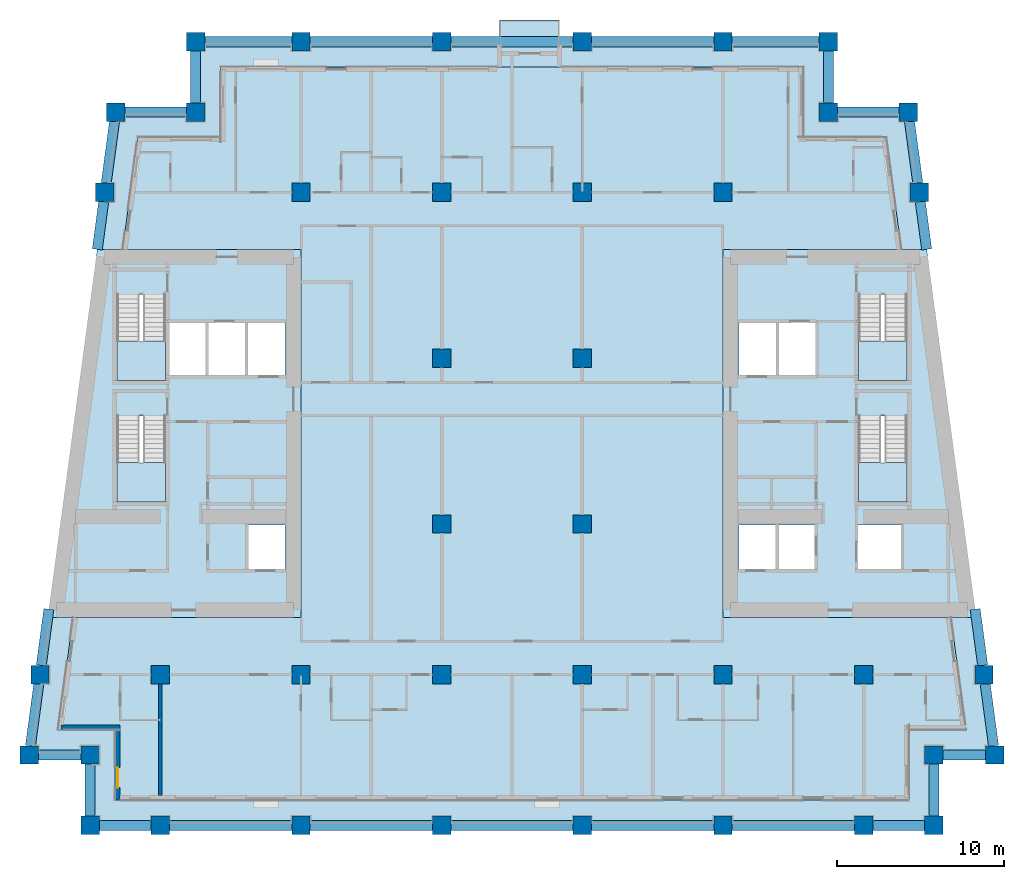
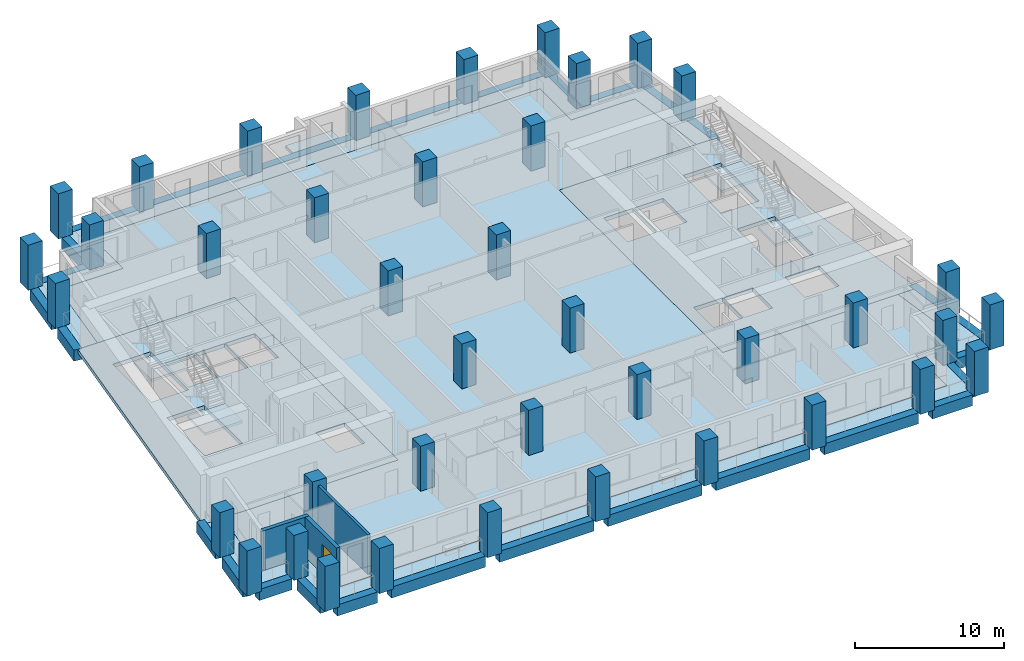
# One storey, part 1 of 13: 40 columns, 28 beams, 10 slabs, 3 walls, 1 door, 1 opening, 4 elements without a shape of their own.
"""IFC4 building model written with IfcOpenShell, lengths in metres."""

from ifc_helpers import new_model, si_unit, direction, frame, frame_2d, origin, origin_2d, place, context, subcontext, project, spatial, polyline, rectangle, outline, extrude, material, layer, layer_set, material_profile, profile_set, type_object, element, fill, aggregate, save


model = new_model("IFC4")

# Units and contexts
model_context = context("Model", 3, precision=1e-05, world=origin(), true_north=direction((0.0, 1.0)))
body_context = subcontext(model_context, "Body", "Model", "MODEL_VIEW")
ifc_project = project(units=[si_unit("LENGTHUNIT", "METRE"), si_unit("AREAUNIT", "SQUARE_METRE"), si_unit("VOLUMEUNIT", "CUBIC_METRE"), si_unit("PLANEANGLEUNIT", "RADIAN"), si_unit("MASSUNIT", "GRAM", prefix="KILO")], contexts=[model_context])

# Site, building, storey
site_placement = place(None, origin())
site = spatial("IfcSite", under=ifc_project, at=site_placement, CompositionType="ELEMENT")
building_placement = place(site_placement, origin())
building = spatial("IfcBuilding", under=site, at=building_placement, Name="Candeia Pilgrim Tower and Theatre", CompositionType="ELEMENT")
storey_placement = place(building_placement, frame((0.0, 0.0, 188.5)))
storey = spatial("IfcBuildingStorey", under=building, at=storey_placement, Name="L45", CompositionType="ELEMENT", Elevation=188.5)

# Columns
ifc_material_1 = material(Name="Concrete C60/75", Category="concrete")
ifc_material_profile_1 = material_profile(ifc_material_1, rectangle(XDim=1.10009765625, YDim=1.10009765625, at=origin_2d()))
ifc_profile_set_1 = profile_set([ifc_material_profile_1], Name="Concrete C60/75")
column_type = type_object("IfcColumnType", Name="RC 1100x1100 C60/75", PredefinedType="COLUMN", material=ifc_profile_set_1)
for number, where, z_axis, x_axis, name in (
    (1, (92.39990234375, 98.0, 0.0), (0.0, 0.0, 1.0), (1.0, 0.0, 0.0), "Column A1"),
    (2, (100.800048828125, 98.0, 0.0), (0.0, 0.0, 1.0), (1.0, 0.0, 0.0), "Column A2"),
    (3, (109.199951171875, 98.0, 0.0), (0.0, 0.0, 1.0), (1.0, 0.0, 0.0), "Column A3"),
    (4, (117.60009765625, 98.0, 0.0), (0.0, 0.0, 1.0), (1.0, 0.0, 0.0), "Column A4"),
    (5, (126.0, 98.0, 0.0), (0.0, 0.0, 1.0), (1.0, 0.0, 0.0), "Column A5"),
    (6, (134.39990234375, 98.0, 0.0), (0.0, 0.0, 1.0), (1.0, 0.0, 0.0), "Column A6"),
    (7, (88.199951171875, 98.0, 0.0), (0.0, 0.0, 1.0), (1.0, 0.0, 0.0), "Column AW"),
    (8, (138.60009765625, 98.0, 0.0), (0.0, 0.0, 1.0), (1.0, 0.0, 0.0), "Column AE"),
    (9, (88.199951171875, 102.199951171875, 0.0), (0.0, 0.0, 1.0), (1.0, 0.0, 0.0), "Column NSW"),
    (10, (138.60009765625, 102.199951171875, 0.0), (0.0, 0.0, 1.0), (1.0, 0.0, 0.0), "Column NSE"),
    (11, (94.5, 140.60009765625, 0.0), (0.0, 0.0, 1.0), (1.0, 0.0, 0.0), "Column NNW"),
    (12, (132.300048828125, 140.60009765625, 0.0), (0.0, 0.0, 1.0), (1.0, 0.0, 0.0), "Column NNE"),
    (13, (84.5654296875, 102.199951171875, 0.0), (0.0, 0.0, 1.0), (1.0, 0.0, 0.0), "Column LSW"),
    (14, (142.234619140625, 102.199951171875, 0.0), (0.0, 0.0, 1.0), (1.0, 0.0, 0.0), "Column LSE"),
    (15, (89.734619140625, 140.60009765625, 0.0), (0.0, 0.0, 1.0), (1.0, 0.0, 0.0), "Column LNW"),
    (16, (137.0654296875, 140.60009765625, 0.0), (0.0, 0.0, 1.0), (1.0, 0.0, 0.0), "Column LNE"),
    (17, (92.39990234375, 107.0, 0.0), (0.0, 0.0, 1.0), (1.0, 0.0, 0.0), "Column B1"),
    (18, (100.800048828125, 107.0, 0.0), (0.0, 0.0, 1.0), (1.0, 0.0, 0.0), "Column B2"),
    (19, (109.199951171875, 107.0, 0.0), (0.0, 0.0, 1.0), (1.0, 0.0, 0.0), "Column B3"),
    (20, (117.60009765625, 107.0, 0.0), (0.0, 0.0, 1.0), (1.0, 0.0, 0.0), "Column B4"),
    (21, (126.0, 107.0, 0.0), (0.0, 0.0, 1.0), (1.0, 0.0, 0.0), "Column B5"),
    (22, (134.39990234375, 107.0, 0.0), (0.0, 0.0, 1.0), (1.0, 0.0, 0.0), "Column B6"),
    (23, (85.21142578125, 107.0, 0.0), (0.0, 0.0, 1.0), (1.0, 0.0, 0.0), "Column BW"),
    (24, (141.58837890625, 107.0, 0.0), (0.0, 0.0, 1.0), (1.0, 0.0, 0.0), "Column BE"),
    (25, (109.199951171875, 116.0, 0.0), (0.0, 0.0, 1.0), (1.0, 0.0, 0.0), "Column C3"),
    (26, (117.60009765625, 116.0, 0.0), (0.0, 0.0, 1.0), (1.0, 0.0, 0.0), "Column C4"),
    (27, (109.199951171875, 125.89990234375, 0.0), (0.0, 0.0, 1.0), (1.0, 0.0, 0.0), "Column D3"),
    (28, (117.60009765625, 125.89990234375, 0.0), (0.0, 0.0, 1.0), (1.0, 0.0, 0.0), "Column D4"),
    (29, (100.800048828125, 135.800048828125, 0.0), (0.0, 0.0, 1.0), (1.0, 0.0, 0.0), "Column E2"),
    (30, (109.199951171875, 135.800048828125, 0.0), (0.0, 0.0, 1.0), (1.0, 0.0, 0.0), "Column E3"),
    (31, (117.60009765625, 135.800048828125, 0.0), (0.0, 0.0, 1.0), (1.0, 0.0, 0.0), "Column E4"),
    (32, (126.0, 135.800048828125, 0.0), (0.0, 0.0, 1.0), (1.0, 0.0, 0.0), "Column E5"),
    (33, (89.08837890625, 135.800048828125, 0.0), (0.0, 0.0, 1.0), (1.0, 0.0, 0.0), "Column EW"),
    (34, (137.71142578125, 135.800048828125, 0.0), (0.0, 0.0, 1.0), (1.0, 0.0, 0.0), "Column EE"),
    (35, (100.800048828125, 144.800048828125, 0.0), (0.0, 0.0, 1.0), (1.0, 0.0, 0.0), "Column F2"),
    (36, (109.199951171875, 144.800048828125, 0.0), (0.0, 0.0, 1.0), (1.0, 0.0, 0.0), "Column F3"),
    (37, (117.60009765625, 144.800048828125, 0.0), (0.0, 0.0, 1.0), (1.0, 0.0, 0.0), "Column F4"),
    (38, (126.0, 144.800048828125, 0.0), (0.0, 0.0, 1.0), (1.0, 0.0, 0.0), "Column F5"),
    (39, (94.5, 144.800048828125, 0.0), (0.0, 0.0, 1.0), (1.0, 0.0, 0.0), "Column FW"),
    (40, (132.300048828125, 144.800048828125, 0.0), (0.0, 0.0, 1.0), (1.0, 0.0, 0.0), "Column FE"),
):
    element("IfcColumn", number, at=place(storey_placement, frame(where, z_axis=z_axis, x_axis=x_axis)), inside=storey, type_object=column_type, Name=name, PredefinedType="COLUMN", context=body_context, shape_type="SweptSolid", body=[
        extrude(rectangle(XDim=1.10009765625, YDim=1.10009765625, at=origin_2d()), origin(), (0.0, 0.0, 1.0), 3.699951171875),
    ])

# Beams
ifc_material_profile_2 = material_profile(ifc_material_1, rectangle(XDim=0.60009765625, YDim=0.89990234375, at=origin_2d()))
ifc_profile_set_2 = profile_set([ifc_material_profile_2], Name="Concrete C60/75")
beam_type = type_object("IfcBeamType", Name="RC 600x900 C60/75", PredefinedType="BEAM", material=ifc_profile_set_2)
beam_1_placement = place(storey_placement, frame((88.75, 98.0, -0.449951171875), z_axis=(1.0, 0.0, 0.0), x_axis=(0.0, 1.0, 0.0)))
element("IfcBeam", 41, at=beam_1_placement, inside=storey, type_object=beam_type, Name="Spandrel beam L45-01", PredefinedType="BEAM", context=body_context, shape_type="SweptSolid", body=[
    extrude(rectangle(XDim=0.60009765625, YDim=0.89990234375, at=origin_2d()), origin(), (0.0, 0.0, 1.0), 3.10009765625),
])
beam_2_placement = place(storey_placement, frame((92.949951171875, 98.0, -0.449951171875), z_axis=(1.0, 0.0, 0.0), x_axis=(0.0, 1.0, 0.0)))
element("IfcBeam", 42, at=beam_2_placement, inside=storey, type_object=beam_type, Name="Spandrel beam L45-02", PredefinedType="BEAM", context=body_context, shape_type="SweptSolid", body=[
    extrude(rectangle(XDim=0.60009765625, YDim=0.89990234375, at=origin_2d()), origin(), (0.0, 0.0, 1.0), 7.300048828125),
])
beam_3_placement = place(storey_placement, frame((101.35009765625, 98.0, -0.449951171875), z_axis=(1.0, 0.0, 0.0), x_axis=(0.0, 1.0, 0.0)))
element("IfcBeam", 43, at=beam_3_placement, inside=storey, type_object=beam_type, Name="Spandrel beam L45-03", PredefinedType="BEAM", context=body_context, shape_type="SweptSolid", body=[
    extrude(rectangle(XDim=0.60009765625, YDim=0.89990234375, at=origin_2d()), origin(), (0.0, 0.0, 1.0), 7.2998046875),
])
for number, where, z_axis, x_axis, name in (
    (44, (109.75, 98.0, -0.449951171875), (1.0, 0.0, 0.0), (0.0, 1.0, 0.0), "Spandrel beam L45-04"),
    (45, (118.14990234375, 98.0, -0.449951171875), (1.0, 0.0, 0.0), (0.0, 1.0, 0.0), "Spandrel beam L45-05"),
    (46, (126.550048828125, 98.0, -0.449951171875), (1.0, 0.0, 0.0), (0.0, 1.0, 0.0), "Spandrel beam L45-06"),
):
    element("IfcBeam", number, at=place(storey_placement, frame(where, z_axis=z_axis, x_axis=x_axis)), inside=storey, type_object=beam_type, Name=name, PredefinedType="BEAM", context=body_context, shape_type="SweptSolid", body=[
        extrude(rectangle(XDim=0.60009765625, YDim=0.89990234375, at=origin_2d()), origin(), (0.0, 0.0, 1.0), 7.300048828125),
    ])
beam_4_placement = place(storey_placement, frame((134.949951171875, 98.0, -0.449951171875), z_axis=(1.0, 0.0, 0.0), x_axis=(0.0, 1.0, 0.0)))
element("IfcBeam", 47, at=beam_4_placement, inside=storey, type_object=beam_type, Name="Spandrel beam L45-07", PredefinedType="BEAM", context=body_context, shape_type="SweptSolid", body=[
    extrude(rectangle(XDim=0.60009765625, YDim=0.89990234375, at=origin_2d()), origin(), (0.0, 0.0, 1.0), 3.10009765625),
])
beam_5_placement = place(storey_placement, frame((138.60009765625, 98.550048828125, -0.449951171875), z_axis=(0.0, 1.0, 0.0), x_axis=(-1.0, 0.0, 0.0)))
element("IfcBeam", 48, at=beam_5_placement, inside=storey, type_object=beam_type, Name="Spandrel beam L45-08", PredefinedType="BEAM", context=body_context, shape_type="SweptSolid", body=[
    extrude(rectangle(XDim=0.60009765625, YDim=0.89990234375, at=origin_2d()), origin(), (0.0, 0.0, 1.0), 3.099853515625),
])
beam_6_placement = place(storey_placement, frame((139.14990234375, 102.199951171875, -0.449951171875), z_axis=(1.0, 0.0, 0.0), x_axis=(0.0, 1.0, 0.0)))
element("IfcBeam", 49, at=beam_6_placement, inside=storey, type_object=beam_type, Name="Spandrel beam L45-09", PredefinedType="BEAM", context=body_context, shape_type="SweptSolid", body=[
    extrude(rectangle(XDim=0.60009765625, YDim=0.89990234375, at=origin_2d()), origin(), (0.0, 0.0, 1.0), 2.53466796875),
])
beam_7_placement = place(storey_placement, frame((142.16064453125, 102.75, -0.449951171875), z_axis=(-0.133405836075, 0.991061492997, 0.0), x_axis=(-0.991061492997, -0.133405836075, 0.0)))
element("IfcBeam", 50, at=beam_7_placement, inside=storey, type_object=beam_type, Name="Spandrel beam L45-10", PredefinedType="BEAM", context=body_context, shape_type="SweptSolid", body=[
    extrude(rectangle(XDim=0.60009765625, YDim=0.89990234375, at=origin_2d()), origin(), (0.0, 0.0, 1.0), 3.7333984375),
])
beam_8_placement = place(storey_placement, frame((141.514404296875, 107.550048828125, -0.449951171875), z_axis=(-0.133432414187, 0.99105791498, 0.0), x_axis=(-0.99105791498, -0.133432414187, 0.0)))
element("IfcBeam", 51, at=beam_8_placement, inside=storey, type_object=beam_type, Name="Spandrel beam L45-11", PredefinedType="BEAM", context=body_context, shape_type="SweptSolid", body=[
    extrude(rectangle(XDim=0.60009765625, YDim=0.89990234375, at=origin_2d()), origin(), (0.0, 0.0, 1.0), 3.390380859375),
])
beam_9_placement = place(storey_placement, frame((138.169189453125, 132.39990234375, -0.449951171875), z_axis=(-0.133370319951, 0.99106627314, 0.0), x_axis=(-0.99106627314, -0.133370319951, 0.0)))
element("IfcBeam", 52, at=beam_9_placement, inside=storey, type_object=beam_type, Name="Spandrel beam L45-12", PredefinedType="BEAM", context=body_context, shape_type="SweptSolid", body=[
    extrude(rectangle(XDim=0.60009765625, YDim=0.89990234375, at=origin_2d()), origin(), (0.0, 0.0, 1.0), 2.875732421875),
])
beam_10_placement = place(storey_placement, frame((137.637451171875, 136.35009765625, -0.449951171875), z_axis=(-0.133405836075, 0.991061492997, 0.0), x_axis=(-0.991061492997, -0.133405836075, 0.0)))
element("IfcBeam", 53, at=beam_10_placement, inside=storey, type_object=beam_type, Name="Spandrel beam L45-13", PredefinedType="BEAM", context=body_context, shape_type="SweptSolid", body=[
    extrude(rectangle(XDim=0.60009765625, YDim=0.89990234375, at=origin_2d()), origin(), (0.0, 0.0, 1.0), 3.7333984375),
])
beam_11_placement = place(storey_placement, frame((136.515380859375, 140.60009765625, -0.449951171875), z_axis=(-1.0, 0.0, 0.0), x_axis=(0.0, -1.0, 0.0)))
element("IfcBeam", 54, at=beam_11_placement, inside=storey, type_object=beam_type, Name="Spandrel beam L45-14", PredefinedType="BEAM", context=body_context, shape_type="SweptSolid", body=[
    extrude(rectangle(XDim=0.60009765625, YDim=0.89990234375, at=origin_2d()), origin(), (0.0, 0.0, 1.0), 3.665283203125),
])
beam_12_placement = place(storey_placement, frame((132.300048828125, 141.14990234375, -0.449951171875), z_axis=(0.0, 1.0, 0.0), x_axis=(-1.0, 0.0, 0.0)))
element("IfcBeam", 55, at=beam_12_placement, inside=storey, type_object=beam_type, Name="Spandrel beam L45-15", PredefinedType="BEAM", context=body_context, shape_type="SweptSolid", body=[
    extrude(rectangle(XDim=0.60009765625, YDim=0.89990234375, at=origin_2d()), origin(), (0.0, 0.0, 1.0), 3.10009765625),
])
beam_13_placement = place(storey_placement, frame((131.75, 144.800048828125, -0.449951171875), z_axis=(-1.0, 0.0, 0.0), x_axis=(0.0, -1.0, 0.0)))
element("IfcBeam", 56, at=beam_13_placement, inside=storey, type_object=beam_type, Name="Spandrel beam L45-16", PredefinedType="BEAM", context=body_context, shape_type="SweptSolid", body=[
    extrude(rectangle(XDim=0.60009765625, YDim=0.89990234375, at=origin_2d()), origin(), (0.0, 0.0, 1.0), 5.199951171875),
])
for number, where, z_axis, x_axis, name in (
    (57, (125.449951171875, 144.800048828125, -0.449951171875), (-1.0, 0.0, 0.0), (0.0, -1.0, 0.0), "Spandrel beam L45-17"),
    (58, (117.050048828125, 144.800048828125, -0.449951171875), (-1.0, 0.0, 0.0), (0.0, -1.0, 0.0), "Spandrel beam L45-18"),
):
    element("IfcBeam", number, at=place(storey_placement, frame(where, z_axis=z_axis, x_axis=x_axis)), inside=storey, type_object=beam_type, Name=name, PredefinedType="BEAM", context=body_context, shape_type="SweptSolid", body=[
        extrude(rectangle(XDim=0.60009765625, YDim=0.89990234375, at=origin_2d()), origin(), (0.0, 0.0, 1.0), 7.300048828125),
    ])
beam_14_placement = place(storey_placement, frame((108.64990234375, 144.800048828125, -0.449951171875), z_axis=(-1.0, 0.0, 0.0), x_axis=(0.0, -1.0, 0.0)))
element("IfcBeam", 59, at=beam_14_placement, inside=storey, type_object=beam_type, Name="Spandrel beam L45-19", PredefinedType="BEAM", context=body_context, shape_type="SweptSolid", body=[
    extrude(rectangle(XDim=0.60009765625, YDim=0.89990234375, at=origin_2d()), origin(), (0.0, 0.0, 1.0), 7.2998046875),
])
beam_15_placement = place(storey_placement, frame((100.25, 144.800048828125, -0.449951171875), z_axis=(-1.0, 0.0, 0.0), x_axis=(0.0, -1.0, 0.0)))
element("IfcBeam", 60, at=beam_15_placement, inside=storey, type_object=beam_type, Name="Spandrel beam L45-20", PredefinedType="BEAM", context=body_context, shape_type="SweptSolid", body=[
    extrude(rectangle(XDim=0.60009765625, YDim=0.89990234375, at=origin_2d()), origin(), (0.0, 0.0, 1.0), 5.199951171875),
])
beam_16_placement = place(storey_placement, frame((94.5, 144.25, -0.449951171875), z_axis=(0.0, -1.0, 0.0), x_axis=(1.0, 0.0, 0.0)))
element("IfcBeam", 61, at=beam_16_placement, inside=storey, type_object=beam_type, Name="Spandrel beam L45-21", PredefinedType="BEAM", context=body_context, shape_type="SweptSolid", body=[
    extrude(rectangle(XDim=0.60009765625, YDim=0.89990234375, at=origin_2d()), origin(), (0.0, 0.0, 1.0), 3.10009765625),
])
beam_17_placement = place(storey_placement, frame((93.949951171875, 140.60009765625, -0.449951171875), z_axis=(-1.0, 0.0, 0.0), x_axis=(0.0, -1.0, 0.0)))
element("IfcBeam", 62, at=beam_17_placement, inside=storey, type_object=beam_type, Name="Spandrel beam L45-22", PredefinedType="BEAM", context=body_context, shape_type="SweptSolid", body=[
    extrude(rectangle(XDim=0.60009765625, YDim=0.89990234375, at=origin_2d()), origin(), (0.0, 0.0, 1.0), 3.665283203125),
])
beam_18_placement = place(storey_placement, frame((89.66064453125, 140.050048828125, -0.449951171875), z_axis=(-0.133405836075, -0.991061492997, 0.0), x_axis=(0.991061492997, -0.133405836075, 0.0)))
element("IfcBeam", 63, at=beam_18_placement, inside=storey, type_object=beam_type, Name="Spandrel beam L45-23", PredefinedType="BEAM", context=body_context, shape_type="SweptSolid", body=[
    extrude(rectangle(XDim=0.60009765625, YDim=0.89990234375, at=origin_2d()), origin(), (0.0, 0.0, 1.0), 3.7333984375),
])
beam_19_placement = place(storey_placement, frame((89.014404296875, 135.25, -0.449951171875), z_axis=(-0.133370319951, -0.99106627314, 0.0), x_axis=(0.99106627314, -0.133370319951, 0.0)))
element("IfcBeam", 64, at=beam_19_placement, inside=storey, type_object=beam_type, Name="Spandrel beam L45-24", PredefinedType="BEAM", context=body_context, shape_type="SweptSolid", body=[
    extrude(rectangle(XDim=0.60009765625, YDim=0.89990234375, at=origin_2d()), origin(), (0.0, 0.0, 1.0), 2.875732421875),
])
beam_20_placement = place(storey_placement, frame((85.73779296875, 110.91015625, -0.449951171875), z_axis=(-0.133361686371, -0.991067434945, 0.0), x_axis=(0.991067434945, -0.133361686371, 0.0)))
element("IfcBeam", 65, at=beam_20_placement, inside=storey, type_object=beam_type, Name="Spandrel beam L45-25", PredefinedType="BEAM", context=body_context, shape_type="SweptSolid", body=[
    extrude(rectangle(XDim=0.60009765625, YDim=0.89990234375, at=origin_2d()), origin(), (0.0, 0.0, 1.0), 3.390380859375),
])
beam_21_placement = place(storey_placement, frame((85.137451171875, 106.449951171875, -0.449951171875), z_axis=(-0.133405836075, -0.991061492997, 0.0), x_axis=(0.991061492997, -0.133405836075, 0.0)))
element("IfcBeam", 66, at=beam_21_placement, inside=storey, type_object=beam_type, Name="Spandrel beam L45-26", PredefinedType="BEAM", context=body_context, shape_type="SweptSolid", body=[
    extrude(rectangle(XDim=0.60009765625, YDim=0.89990234375, at=origin_2d()), origin(), (0.0, 0.0, 1.0), 3.7333984375),
])
beam_22_placement = place(storey_placement, frame((85.115478515625, 102.199951171875, -0.449951171875), z_axis=(1.0, 0.0, 0.0), x_axis=(0.0, 1.0, 0.0)))
element("IfcBeam", 67, at=beam_22_placement, inside=storey, type_object=beam_type, Name="Spandrel beam L45-27", PredefinedType="BEAM", context=body_context, shape_type="SweptSolid", body=[
    extrude(rectangle(XDim=0.60009765625, YDim=0.89990234375, at=origin_2d()), origin(), (0.0, 0.0, 1.0), 2.534423828125),
])
beam_23_placement = place(storey_placement, frame((88.199951171875, 101.64990234375, -0.449951171875), z_axis=(0.0, -1.0, 0.0), x_axis=(1.0, 0.0, 0.0)))
element("IfcBeam", 68, at=beam_23_placement, inside=storey, type_object=beam_type, Name="Spandrel beam L45-28", PredefinedType="BEAM", context=body_context, shape_type="SweptSolid", body=[
    extrude(rectangle(XDim=0.60009765625, YDim=0.89990234375, at=origin_2d()), origin(), (0.0, 0.0, 1.0), 3.099853515625),
])

# Slabs
ifc_material_2 = material(Name="Concrete C40/50", Category="concrete")
ifc_layer_1 = layer(ifc_material_2, 0.25)
ifc_layer_set_1 = layer_set([ifc_layer_1], Name="BK1 balcony slab 250")
slab_type_1 = type_object("IfcSlabType", Name="BK1 balcony slab 250", PredefinedType="USERDEFINED", material=ifc_layer_set_1)
slab_1_placement = place(storey_placement, frame((0.0, 0.0, -0.25)))
element("IfcSlab", 69, at=slab_1_placement, inside=storey, type_object=slab_type_1, Name="Balcony L45", ObjectType="BALCONY", PredefinedType="USERDEFINED", context=body_context, shape_type="SweptSolid", body=[
    extrude(outline(polyline([(112.64990234375, 144.5), (116.25, 144.5), (116.25, 146.10009765625), (112.64990234375, 146.10009765625), (112.64990234375, 144.5)])), origin(), (0.0, 0.0, 1.0), 0.25),
])
ifc_layer_2 = layer(ifc_material_1, 0.320068359375)
ifc_layer_set_2 = layer_set([ifc_layer_2], Name="FS-CORE 320 core floor")
slab_type_2 = type_object("IfcSlabType", Name="FS-CORE 320 core floor", PredefinedType="FLOOR", material=ifc_layer_set_2)
slab_2_placement = place(storey_placement, frame((0.0, 0.0, -0.320068359375)))
element("IfcSlab", 70, at=slab_2_placement, inside=storey, type_object=slab_type_2, Name="Core floor W L45", PredefinedType="FLOOR", context=body_context, shape_type="SweptSolid", body=[
    extrude(outline(polyline([(100.800048828125, 132.39990234375), (100.800048828125, 110.39990234375), (85.669189453125, 110.39990234375), (88.630859375, 132.39990234375), (100.800048828125, 132.39990234375)]), holes=[polyline([(97.59228515625, 128.050048828125), (97.59228515625, 124.85009765625), (99.85009765625, 124.85009765625), (99.85009765625, 128.050048828125), (97.59228515625, 128.050048828125)]), polyline([(97.613525390625, 113.25), (99.85009765625, 113.25), (99.85009765625, 115.949951171875), (97.613525390625, 115.949951171875), (97.613525390625, 113.25)]), polyline([(95.234619140625, 124.85009765625), (97.4921875, 124.85009765625), (97.4921875, 128.050048828125), (95.234619140625, 128.050048828125), (95.234619140625, 124.85009765625)]), polyline([(92.876953125, 128.050048828125), (92.876953125, 124.85009765625), (95.134765625, 124.85009765625), (95.134765625, 128.050048828125), (92.876953125, 128.050048828125)]), polyline([(89.802001953125, 122.455078125), (89.802001953125, 117.324951171875), (92.701904296875, 117.324951171875), (92.701904296875, 122.455078125), (89.802001953125, 122.455078125)]), polyline([(89.802001953125, 129.705078125), (89.802001953125, 124.574951171875), (92.701904296875, 124.574951171875), (92.701904296875, 129.705078125), (89.802001953125, 129.705078125)])]), origin(), (0.0, 0.0, 1.0), 0.320068359375),
])
slab_3_placement = place(storey_placement, frame((0.0, 0.0, -0.320068359375)))
element("IfcSlab", 71, at=slab_3_placement, inside=storey, type_object=slab_type_2, Name="Core floor E L45", PredefinedType="FLOOR", context=body_context, shape_type="SweptSolid", body=[
    extrude(outline(polyline([(138.169189453125, 132.39990234375), (141.130859375, 110.39990234375), (126.0, 110.39990234375), (126.0, 132.39990234375), (138.169189453125, 132.39990234375)]), holes=[polyline([(134.097900390625, 122.455078125), (134.097900390625, 117.324951171875), (136.998046875, 117.324951171875), (136.998046875, 122.455078125), (134.097900390625, 122.455078125)]), polyline([(134.097900390625, 129.705078125), (134.097900390625, 124.574951171875), (136.998046875, 124.574951171875), (136.998046875, 129.705078125), (134.097900390625, 129.705078125)]), polyline([(136.672607421875, 115.949951171875), (134.02294921875, 115.949951171875), (134.02294921875, 113.25), (136.672607421875, 113.25), (136.672607421875, 115.949951171875)]), polyline([(131.565185546875, 128.050048828125), (129.3076171875, 128.050048828125), (129.3076171875, 124.85009765625), (131.565185546875, 124.85009765625), (131.565185546875, 128.050048828125)]), polyline([(131.52294921875, 115.949951171875), (129.28662109375, 115.949951171875), (129.28662109375, 113.25), (131.52294921875, 113.25), (131.52294921875, 115.949951171875)]), polyline([(129.207763671875, 128.050048828125), (126.949951171875, 128.050048828125), (126.949951171875, 124.85009765625), (129.207763671875, 124.85009765625), (129.207763671875, 128.050048828125)]), polyline([(126.949951171875, 115.949951171875), (126.949951171875, 113.25), (129.1865234375, 113.25), (129.1865234375, 115.949951171875), (126.949951171875, 115.949951171875)])]), origin(), (0.0, 0.0, 1.0), 0.320068359375),
])
ifc_material_3 = material(Name="Concrete C50/60", Category="concrete")
ifc_layer_3 = layer(ifc_material_3, 0.320068359375)
ifc_layer_set_3 = layer_set([ifc_layer_3], Name="Floor slab 320 C50/60")
slab_type_3 = type_object("IfcSlabType", Name="Floor slab 320 C50/60", PredefinedType="FLOOR", material=ifc_layer_set_3)
slab_4_placement = place(storey_placement, frame((0.0, 0.0, -0.320068359375)))
element("IfcSlab", 72, at=slab_4_placement, inside=storey, type_object=slab_type_3, Name="Floor slab L45", PredefinedType="FLOOR", context=body_context, shape_type="SweptSolid", body=[
    extrude(outline(polyline([(96.0, 139.10009765625), (96.0, 143.300048828125), (130.800048828125, 143.300048828125), (130.800048828125, 139.10009765625), (135.753662109375, 139.10009765625), (136.65576171875, 132.39990234375), (126.0, 132.39990234375), (126.0, 110.39990234375), (139.6171875, 110.39990234375), (140.51904296875, 103.699951171875), (137.10009765625, 103.699951171875), (137.10009765625, 99.5), (89.699951171875, 99.5), (89.699951171875, 103.699951171875), (86.28076171875, 103.699951171875), (87.182861328125, 110.39990234375), (100.800048828125, 110.39990234375), (100.800048828125, 132.39990234375), (90.144287109375, 132.39990234375), (91.046142578125, 139.10009765625), (96.0, 139.10009765625)])), origin(), (0.0, 0.0, 1.0), 0.320068359375),
])
ifc_layer_4 = layer(ifc_material_2, 0.25)
ifc_layer_set_4 = layer_set([ifc_layer_4], Name="Loggia slab 250 C40/50")
slab_type_4 = type_object("IfcSlabType", Name="Loggia slab 250 C40/50", PredefinedType="FLOOR", material=ifc_layer_set_4)
slab_5_placement = place(storey_placement, frame((0.0, 0.0, -0.25)))
element("IfcSlab", 73, at=slab_5_placement, inside=storey, type_object=slab_type_4, Name="Loggia slab L45 1", PredefinedType="FLOOR", context=body_context, shape_type="SweptSolid", body=[
    extrude(outline(polyline([(87.182861328125, 110.39990234375), (86.28076171875, 103.699951171875), (89.699951171875, 103.699951171875), (89.699951171875, 99.5), (137.10009765625, 99.5), (137.10009765625, 103.699951171875), (140.51904296875, 103.699951171875), (139.6171875, 110.39990234375), (140.828125, 110.39990234375), (141.8916015625, 102.5), (138.300048828125, 102.5), (138.300048828125, 98.300048828125), (88.5, 98.300048828125), (88.5, 102.5), (84.908447265625, 102.5), (85.971923828125, 110.39990234375), (87.182861328125, 110.39990234375)])), origin(), (0.0, 0.0, 1.0), 0.25),
])
slab_6_placement = place(storey_placement, frame((0.0, 0.0, -0.25)))
element("IfcSlab", 74, at=slab_6_placement, inside=storey, type_object=slab_type_4, Name="Loggia slab L45 2", PredefinedType="FLOOR", context=body_context, shape_type="SweptSolid", body=[
    extrude(outline(polyline([(136.65576171875, 132.39990234375), (135.753662109375, 139.10009765625), (130.800048828125, 139.10009765625), (130.800048828125, 143.300048828125), (96.0, 143.300048828125), (96.0, 139.10009765625), (91.046142578125, 139.10009765625), (90.144287109375, 132.39990234375), (88.93359375, 132.39990234375), (89.996826171875, 140.300048828125), (94.800048828125, 140.300048828125), (94.800048828125, 144.5), (132.0, 144.5), (132.0, 140.300048828125), (136.802978515625, 140.300048828125), (137.866455078125, 132.39990234375), (136.65576171875, 132.39990234375)])), origin(), (0.0, 0.0, 1.0), 0.25),
])

# Stair, slab
stair_type = type_object("IfcStairType", Name="ST-TWR dog-leg escape stair", PredefinedType="HALF_TURN_STAIR", material=ifc_material_2)
stair_1_placement = place(storey_placement, origin())
stair_1 = element("IfcStair", 75, at=stair_1_placement, inside=storey, type_object=stair_type, Name="L45 Escape stair ST1", PredefinedType="HALF_TURN_STAIR")
ifc_layer_5 = layer(ifc_material_2, 0.199951171875)
ifc_layer_set_5 = layer_set([ifc_layer_5], Name="SL-LANDING stair landing")
slab_type_5 = type_object("IfcSlabType", Name="SL-LANDING stair landing", PredefinedType="LANDING", material=ifc_layer_set_5)
slab_7_placement = place(storey_placement, frame((0.0, 0.0, 1.64990234375)))
slab_7 = element("IfcSlab", 76, at=slab_7_placement, type_object=slab_type_5, Name="ST1 landing 1", PredefinedType="LANDING", context=body_context, shape_type="SweptSolid", body=[
    extrude(outline(polyline([(89.802001953125, 119.675048828125), (89.802001953125, 117.324951171875), (92.701904296875, 117.324951171875), (92.701904296875, 119.675048828125), (89.802001953125, 119.675048828125)])), origin(), (0.0, 0.0, 1.0), 0.2001953125),
])
aggregate(stair_1, [slab_7])

stair_2_placement = place(storey_placement, origin())
stair_2 = element("IfcStair", 77, at=stair_2_placement, inside=storey, type_object=stair_type, Name="L45 Escape stair ST2", PredefinedType="HALF_TURN_STAIR")
slab_8_placement = place(storey_placement, frame((0.0, 0.0, 1.64990234375)))
slab_8 = element("IfcSlab", 78, at=slab_8_placement, type_object=slab_type_5, Name="ST2 landing 1", PredefinedType="LANDING", context=body_context, shape_type="SweptSolid", body=[
    extrude(outline(polyline([(89.802001953125, 126.925048828125), (89.802001953125, 124.574951171875), (92.701904296875, 124.574951171875), (92.701904296875, 126.925048828125), (89.802001953125, 126.925048828125)])), origin(), (0.0, 0.0, 1.0), 0.2001953125),
])
aggregate(stair_2, [slab_8])

stair_3_placement = place(storey_placement, origin())
stair_3 = element("IfcStair", 79, at=stair_3_placement, inside=storey, type_object=stair_type, Name="L45 Escape stair ST3", PredefinedType="HALF_TURN_STAIR")
slab_9_placement = place(storey_placement, frame((0.0, 0.0, 1.64990234375)))
slab_9 = element("IfcSlab", 80, at=slab_9_placement, type_object=slab_type_5, Name="ST3 landing 1", PredefinedType="LANDING", context=body_context, shape_type="SweptSolid", body=[
    extrude(outline(polyline([(134.097900390625, 119.675048828125), (134.097900390625, 117.324951171875), (136.998046875, 117.324951171875), (136.998046875, 119.675048828125), (134.097900390625, 119.675048828125)])), origin(), (0.0, 0.0, 1.0), 0.2001953125),
])
aggregate(stair_3, [slab_9])

stair_4_placement = place(storey_placement, origin())
stair_4 = element("IfcStair", 81, at=stair_4_placement, inside=storey, type_object=stair_type, Name="L45 Escape stair ST4", PredefinedType="HALF_TURN_STAIR")
slab_10_placement = place(storey_placement, frame((0.0, 0.0, 1.64990234375)))
slab_10 = element("IfcSlab", 82, at=slab_10_placement, type_object=slab_type_5, Name="ST4 landing 1", PredefinedType="LANDING", context=body_context, shape_type="SweptSolid", body=[
    extrude(outline(polyline([(134.097900390625, 126.925048828125), (134.097900390625, 124.574951171875), (136.998046875, 124.574951171875), (136.998046875, 126.925048828125), (134.097900390625, 126.925048828125)])), origin(), (0.0, 0.0, 1.0), 0.2001953125),
])
aggregate(stair_4, [slab_10])

# Wall
ifc_material_4 = material(Name="Ceramic block masonry", Category="masonry")
ifc_layer_6 = layer(ifc_material_4, 0.300048828125)
ifc_layer_set_6 = layer_set([ifc_layer_6], Name="EW1 glazing-line wall 300")
wall_type_1 = type_object("IfcWallType", Name="EW1 glazing-line wall 300", PredefinedType="SOLIDWALL", material=ifc_layer_set_6)
wall_1_placement = place(storey_placement, frame((86.452392578125, 103.85009765625, 0.0), z_axis=(0.0, 0.0, 1.0), x_axis=(1.0, 0.0, 0.0)))
element("IfcWall", 83, at=wall_1_placement, inside=storey, type_object=wall_type_1, Name="External wall L45-10.0", PredefinedType="SOLIDWALL", context=body_context, shape_type="SweptSolid", body=[
    extrude(rectangle(XDim=3.547607421875, YDim=0.300048828125, at=frame_2d((1.77392578125, 0.0))), origin(), (0.0, 0.0, 1.0), 3.25),
])

# Wall, opening, door
wall_2_placement = place(storey_placement, frame((89.85009765625, 103.85009765625, 0.0), z_axis=(0.0, 0.0, 1.0), x_axis=(0.0, -1.0, 0.0)))
wall_2 = element("IfcWall", 84, at=wall_2_placement, inside=storey, type_object=wall_type_1, Name="External wall L45-11.0", PredefinedType="SOLIDWALL", context=body_context, shape_type="SweptSolid", body=[
    extrude(rectangle(XDim=4.35009765625, YDim=0.300048828125, at=frame_2d((2.175048828125, 0.0))), origin(), (0.0, 0.0, 1.0), 3.25),
])
opening_placement = place(wall_2_placement, frame((2.39990234375, 0.0, 0.0)))
opening = element("IfcOpeningElement", 85, at=opening_placement, cuts=wall_2, Name="Opening L45-ED439", PredefinedType="OPENING", context=body_context, shape_type="SweptSolid", body=[
    extrude(rectangle(XDim=1.199951171875, YDim=2.39990234375, at=frame_2d((0.60009765625, 1.199951171875))), frame((0.0, 0.16015625, 0.0), z_axis=(0.0, -1.0, 0.0), x_axis=(1.0, 0.0, 0.0)), (0.0, 0.0, 1.0), 0.320068359375),
])
ifc_material_5 = material(Name="Aluminium framed glazed door", Category="aluminium")
door_type = type_object("IfcDoorType", Name="Loggia door 1200x2400", OperationType="DOUBLE_DOOR_SINGLE_SWING", PredefinedType="DOOR", material=ifc_material_5)
door_placement = place(opening_placement, origin())
door = element("IfcDoor", 86, at=door_placement, inside=storey, type_object=door_type, Name="Loggia door L45-ED439", OperationType="DOUBLE_DOOR_SINGLE_SWING", OverallHeight=2.39990234375, OverallWidth=1.199951171875, PredefinedType="DOOR", context=body_context, shape_type="SweptSolid", body=[
    extrude(rectangle(XDim=1.199951171875, YDim=2.39990234375, at=frame_2d((0.60009765625, 1.199951171875))), frame((0.0, 0.02490234375, 0.0), z_axis=(0.0, -1.0, 0.0), x_axis=(1.0, 0.0, 0.0)), (0.0, 0.0, 1.0), 0.050048828125),
])
fill(opening, door)

# Wall
ifc_material_6 = material(Name="Gypsum board partition on steel studs", Category="steel")
ifc_layer_7 = layer(ifc_material_6, 0.199951171875)
ifc_layer_set_7 = layer_set([ifc_layer_7], Name="PW-200 party wall")
wall_type_2 = type_object("IfcWallType", Name="PW-200 party wall", PredefinedType="PARTITIONING", material=ifc_layer_set_7)
wall_3_placement = place(storey_placement, frame((92.39990234375, 99.7900390625, 0.0), z_axis=(0.0, 0.0, 1.0), x_axis=(0.0, 1.0, 0.0)))
element("IfcWall", 87, at=wall_3_placement, inside=storey, type_object=wall_type_2, Name="Party wall L45-053", PredefinedType="PARTITIONING", context=body_context, shape_type="SweptSolid", body=[
    extrude(rectangle(XDim=7.135009765625, YDim=0.199951171875, at=frame_2d((3.5673828125, 0.0))), origin(), (0.0, 0.0, 1.0), 3.25),
])

save(model, "model.ifc")
